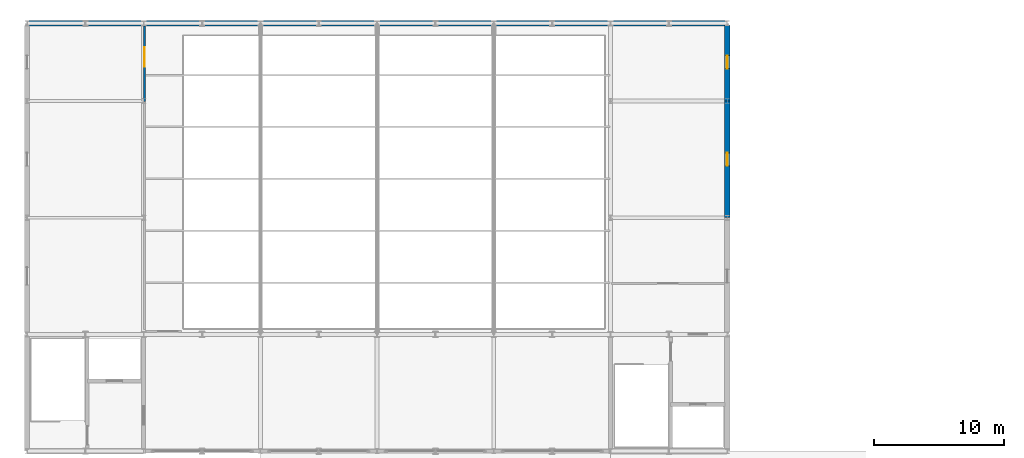
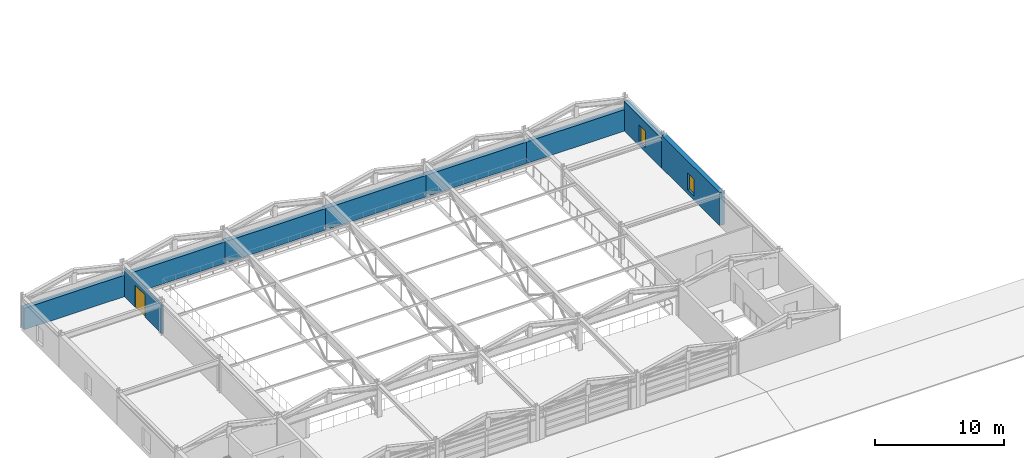
# One storey, part 77 of 91: 9 walls, 2 windows, 1 door, 3 openings.
"""IFC4 building model written with IfcOpenShell, lengths in metres."""

from ifc_helpers import new_model, si_unit, direction, frame, frame_2d, origin, place, context, subcontext, project, spatial, rectangle, extrude, material, layer, layer_set, type_object, element, fill, save


model = new_model("IFC4")

# Units and contexts
model_context = context("Model", 3, precision=1e-05, world=origin(), true_north=direction((0.0, 1.0)))
body_context = subcontext(model_context, "Body", "Model", "MODEL_VIEW")
ifc_project = project(units=[si_unit("LENGTHUNIT", "METRE"), si_unit("AREAUNIT", "SQUARE_METRE"), si_unit("VOLUMEUNIT", "CUBIC_METRE"), si_unit("PLANEANGLEUNIT", "RADIAN"), si_unit("MASSUNIT", "GRAM", prefix="KILO")], contexts=[model_context])

# Site, building, storey
site_placement = place(None, origin())
site = spatial("IfcSite", under=ifc_project, at=site_placement, CompositionType="ELEMENT")
building_placement = place(site_placement, origin())
building = spatial("IfcBuilding", under=site, at=building_placement, Name="Palais des Congres Ocreval", CompositionType="ELEMENT")
storey_placement = place(building_placement, frame((0.0, 0.0, 8.159912109375)))
storey = spatial("IfcBuildingStorey", under=building, at=storey_placement, Name="L02", CompositionType="ELEMENT", Elevation=8.159912109375)

# Walls
ifc_material_1 = material(Name="Concrete C40/50", Category="concrete")
ifc_layer_1 = layer(ifc_material_1, 0.419921875)
ifc_layer_set_1 = layer_set([ifc_layer_1], Name="Congress Stone Facade Wall 420 Concrete C40/50")
wall_type_1 = type_object("IfcWallType", Name="Congress Stone Facade Wall 420 Concrete C40/50", PredefinedType="SOLIDWALL", material=ifc_layer_set_1)
for number, where, z_axis, x_axis, name in (
    (1, (0.0, 114.0, 0.0), (0.0, 0.0, 1.0), (1.0, 0.0, 0.0), "Exterior Wall EW02 L02"),
    (2, (9.0, 114.0, 0.0), (0.0, 0.0, 1.0), (1.0, 0.0, 0.0), "Exterior Wall EW02 L02"),
    (3, (18.0, 114.0, 0.0), (0.0, 0.0, 1.0), (1.0, 0.0, 0.0), "Exterior Wall EW02 L02"),
    (4, (27.0, 114.0, 0.0), (0.0, 0.0, 1.0), (1.0, 0.0, 0.0), "Exterior Wall EW02 L02"),
    (5, (36.0, 114.0, 0.0), (0.0, 0.0, 1.0), (1.0, 0.0, 0.0), "Exterior Wall EW02 L02"),
    (6, (45.0, 114.0, 0.0), (0.0, 0.0, 1.0), (1.0, 0.0, 0.0), "Exterior Wall EW02 L02"),
):
    element("IfcWall", number, at=place(storey_placement, frame(where, z_axis=z_axis, x_axis=x_axis)), inside=storey, type_object=wall_type_1, Name=name, PredefinedType="SOLIDWALL", context=body_context, shape_type="SweptSolid", body=[
        extrude(rectangle(XDim=9.0, YDim=0.419921875, at=frame_2d((4.5, 0.0))), origin(), (0.0, 0.0, 1.0), 2.03515625),
    ])

# Wall, opening, window
wall_1_placement = place(storey_placement, frame((54.0, 113.844970703125, 0.0), z_axis=(0.0, 0.0, 1.0), x_axis=(0.0, -1.0, 0.0)))
wall_1 = element("IfcWall", 7, at=wall_1_placement, inside=storey, type_object=wall_type_1, Name="Exterior Wall EW02 L02", PredefinedType="SOLIDWALL", context=body_context, shape_type="SweptSolid", body=[
    extrude(rectangle(XDim=5.844970703125, YDim=0.419921875, at=frame_2d((2.92236328125, 0.0))), origin(), (0.0, 0.0, 1.0), 2.800048828125),
])
opening_1_placement = place(wall_1_placement, frame((2.344970703125, 0.0, 0.39990234375)))
opening_1 = element("IfcOpeningElement", 8, at=opening_1_placement, cuts=wall_1, Name="Opening WN18", PredefinedType="OPENING", context=body_context, shape_type="SweptSolid", body=[
    extrude(rectangle(XDim=1.0, YDim=1.60009765625, at=frame_2d((0.5, 0.800048828125))), frame((0.0, 0.219970703125, 0.0), z_axis=(0.0, -1.0, 0.0), x_axis=(1.0, 0.0, 0.0)), (0.0, 0.0, 1.0), 0.43994140625),
])
ifc_material_2 = material(Name="Anodized bronze aluminium and low-E glass", Category="glass")
window_type = type_object("IfcWindowType", Name="Stair and Lobby Daylight Window 1000x1600", PartitioningType="SINGLE_PANEL", PredefinedType="WINDOW", material=ifc_material_2)
window_1_placement = place(opening_1_placement, origin())
window_1 = element("IfcWindow", 9, at=window_1_placement, inside=storey, type_object=window_type, Name="Facade Window WN18", OverallHeight=1.60009765625, OverallWidth=1.0, PartitioningType="SINGLE_PANEL", PredefinedType="WINDOW", context=body_context, shape_type="SweptSolid", body=[
    extrude(rectangle(XDim=1.0, YDim=1.60009765625, at=frame_2d((0.5, 0.800048828125))), frame((0.0, 0.030029296875, 0.0), z_axis=(0.0, -1.0, 0.0), x_axis=(1.0, 0.0, 0.0)), (0.0, 0.0, 1.0), 0.06005859375),
])
fill(opening_1, window_1)

wall_2_placement = place(storey_placement, frame((54.0, 108.0, 0.0), z_axis=(0.0, 0.0, 1.0), x_axis=(0.0, -1.0, 0.0)))
wall_2 = element("IfcWall", 10, at=wall_2_placement, inside=storey, type_object=wall_type_1, Name="Exterior Wall EW02 L02", PredefinedType="SOLIDWALL", context=body_context, shape_type="SweptSolid", body=[
    extrude(rectangle(XDim=9.0, YDim=0.419921875, at=frame_2d((4.5, 0.0))), origin(), (0.0, 0.0, 1.0), 3.110107421875),
])
opening_2_placement = place(wall_2_placement, frame((4.0, 0.0, 0.39990234375)))
opening_2 = element("IfcOpeningElement", 11, at=opening_2_placement, cuts=wall_2, Name="Opening WN18", PredefinedType="OPENING", context=body_context, shape_type="SweptSolid", body=[
    extrude(rectangle(XDim=1.0, YDim=1.60009765625, at=frame_2d((0.5, 0.800048828125))), frame((0.0, 0.219970703125, 0.0), z_axis=(0.0, -1.0, 0.0), x_axis=(1.0, 0.0, 0.0)), (0.0, 0.0, 1.0), 0.43994140625),
])
window_2_placement = place(opening_2_placement, origin())
window_2 = element("IfcWindow", 12, at=window_2_placement, inside=storey, type_object=window_type, Name="Facade Window WN18", OverallHeight=1.60009765625, OverallWidth=1.0, PartitioningType="SINGLE_PANEL", PredefinedType="WINDOW", context=body_context, shape_type="SweptSolid", body=[
    extrude(rectangle(XDim=1.0, YDim=1.60009765625, at=frame_2d((0.5, 0.800048828125))), frame((0.0, 0.030029296875, 0.0), z_axis=(0.0, -1.0, 0.0), x_axis=(1.0, 0.0, 0.0)), (0.0, 0.0, 1.0), 0.06005859375),
])
fill(opening_2, window_2)

# Wall, opening, door
ifc_material_3 = material(Name="Gypsum acoustic partition")
ifc_layer_2 = layer(ifc_material_3, 0.159912109375)
ifc_layer_set_2 = layer_set([ifc_layer_2], Name="Corridor Fire Partition 160 Gypsum (Gypsum acoustic partition)")
wall_type_2 = type_object("IfcWallType", Name="Corridor Fire Partition 160 Gypsum", PredefinedType="PARTITIONING", material=ifc_layer_set_2)
wall_3_placement = place(storey_placement, frame((9.06494140625, 107.97998046875, 0.0), z_axis=(0.0, 0.0, 1.0), x_axis=(0.0, 1.0, 0.0)))
wall_3 = element("IfcWall", 13, at=wall_3_placement, inside=storey, type_object=wall_type_2, Name="Interior Partition IW03 L02", PredefinedType="PARTITIONING", context=body_context, shape_type="SweptSolid", body=[
    extrude(rectangle(XDim=5.804931640625, YDim=0.159912109375, at=frame_2d((2.90234375, 0.0))), origin(), (0.0, 0.0, 1.0), 2.66015625),
])
opening_3_placement = place(wall_3_placement, frame((2.655029296875, 0.0, 0.0)))
opening_3 = element("IfcOpeningElement", 14, at=opening_3_placement, cuts=wall_3, Name="Opening D04", PredefinedType="OPENING", context=body_context, shape_type="SweptSolid", body=[
    extrude(rectangle(XDim=1.5, YDim=2.10009765625, at=frame_2d((0.75, 1.050048828125))), frame((0.0, 0.08984375, 0.0), z_axis=(0.0, -1.0, 0.0), x_axis=(1.0, 0.0, 0.0)), (0.0, 0.0, 1.0), 0.179931640625),
])
ifc_material_4 = material(Name="Solid French oak fire door", Category="wood")
door_type = type_object("IfcDoorType", Name="Corridor Compartment Double Door 1500x2100", OperationType="NOTDEFINED", PredefinedType="DOOR", material=ifc_material_4)
door_placement = place(opening_3_placement, origin())
door = element("IfcDoor", 15, at=door_placement, inside=storey, type_object=door_type, Name="Interior Door D04 L02", OperationType="DOUBLE_DOOR_SINGLE_SWING", OverallHeight=2.10009765625, OverallWidth=1.5, PredefinedType="DOOR", context=body_context, shape_type="SweptSolid", body=[
    extrude(rectangle(XDim=1.5, YDim=2.10009765625, at=frame_2d((0.75, 1.050048828125))), frame((0.0, 0.02490234375, 0.0), z_axis=(0.0, -1.0, 0.0), x_axis=(1.0, 0.0, 0.0)), (0.0, 0.0, 1.0), 0.050048828125),
])
fill(opening_3, door)

save(model, "model.ifc")
